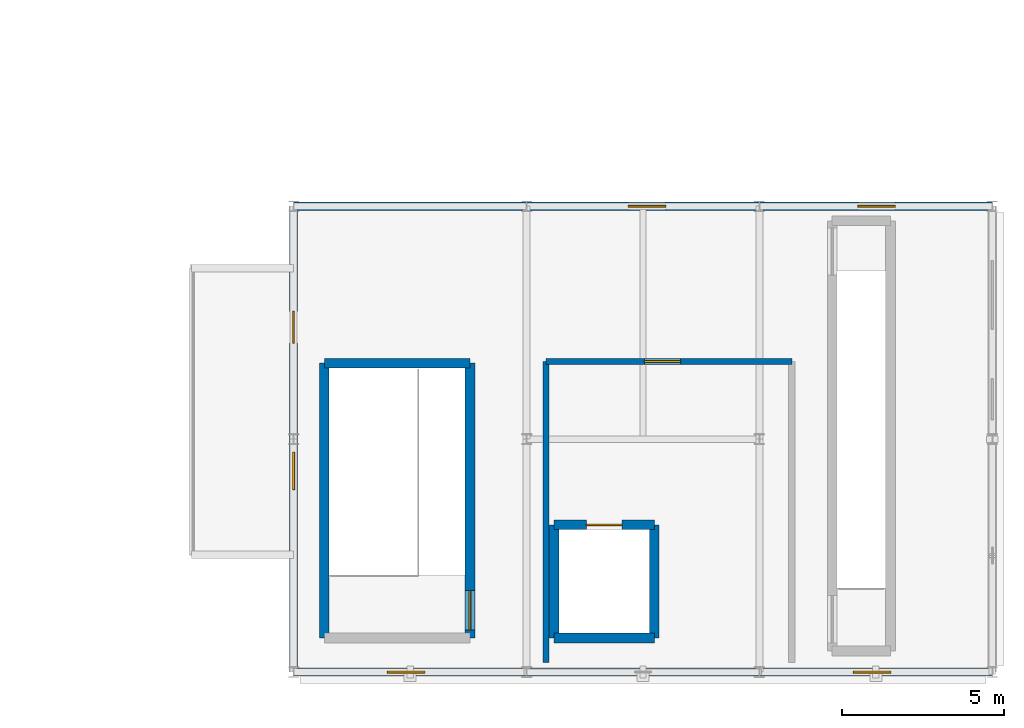
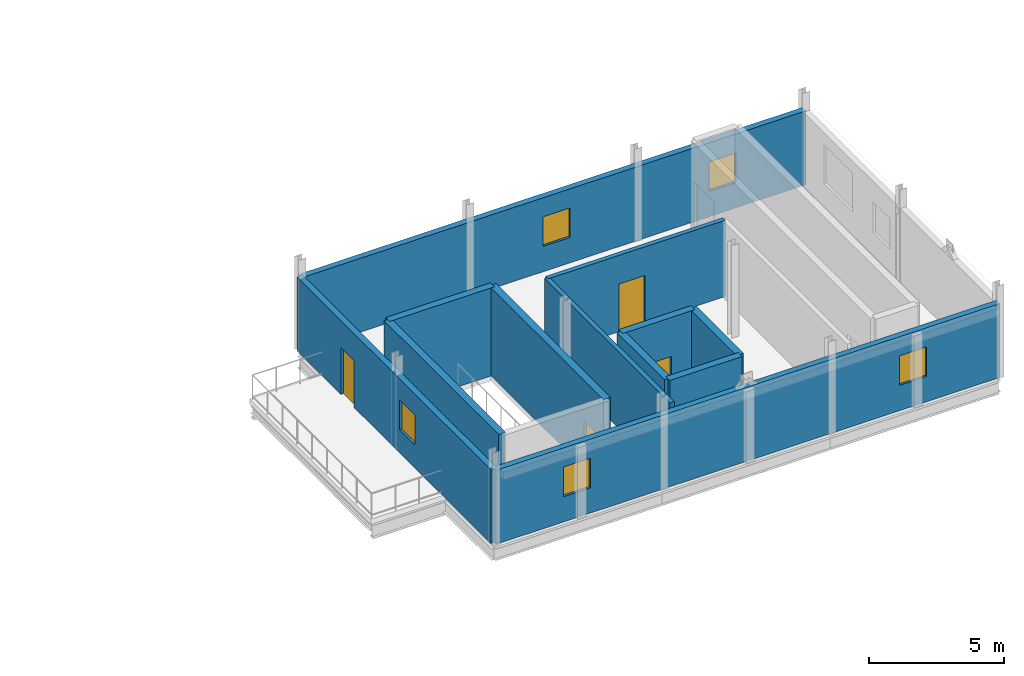
# One storey, part 22 of 28: 12 walls, 5 windows, 4 doors, 9 openings.
"""IFC4 building model written with IfcOpenShell, lengths in metres."""

from ifc_helpers import new_model, si_unit, direction, frame, frame_2d, origin, place, context, subcontext, project, spatial, rectangle, extrude, material, layer, layer_set, type_object, element, fill, save


model = new_model("IFC4")

# Units and contexts
model_context = context("Model", 3, precision=1e-05, world=origin(), true_north=direction((0.0, 1.0)))
body_context = subcontext(model_context, "Body", "Model", "MODEL_VIEW")
ifc_project = project(units=[si_unit("LENGTHUNIT", "METRE"), si_unit("AREAUNIT", "SQUARE_METRE"), si_unit("VOLUMEUNIT", "CUBIC_METRE"), si_unit("PLANEANGLEUNIT", "RADIAN"), si_unit("MASSUNIT", "GRAM", prefix="KILO")], contexts=[model_context])

# Site, building, storey
site_placement = place(None, origin())
site = spatial("IfcSite", under=ifc_project, at=site_placement, CompositionType="ELEMENT")
building_placement = place(site_placement, origin())
building = spatial("IfcBuilding", under=site, at=building_placement, Name="Yarey Park Central Fire Station", CompositionType="ELEMENT")
storey_placement = place(building_placement, frame((0.0, 0.0, 22.199951171875)))
storey = spatial("IfcBuildingStorey", under=building, at=storey_placement, Name="L06", CompositionType="ELEMENT", Elevation=22.199951171875)

# Wall, openings, windows
ifc_material_1 = material(Name="Concrete C40/50", Category="concrete")
ifc_layer_1 = layer(ifc_material_1, 0.2548828125)
ifc_layer_set_1 = layer_set([ifc_layer_1], Name="Concrete C40/50")
wall_type_1 = type_object("IfcWallType", Name="ENV_WALL_RC255", PredefinedType="STANDARD", material=ifc_layer_set_1)
wall_1_placement = place(storey_placement, frame((165.60009765625, 0.0, 0.0), z_axis=(0.0, 0.0, 1.0), x_axis=(-1.0, 0.0, 0.0)))
wall_1 = element("IfcWall", 1, at=wall_1_placement, inside=storey, type_object=wall_type_1, Name="EW_L06_DT_S", PredefinedType="STANDARD", context=body_context, shape_type="SweptSolid", body=[
    extrude(rectangle(XDim=21.60009765625, YDim=0.2548828125, at=frame_2d((10.800048828125, 0.0))), origin(), (0.0, 0.0, 1.0), 3.35009765625),
])
opening_1_placement = place(wall_1_placement, frame((17.5400390625, 0.0, 1.14990234375)))
opening_1 = element("IfcOpeningElement", 2, at=opening_1_placement, cuts=wall_1, Name="Opening WN-DT116", PredefinedType="OPENING", context=body_context, shape_type="SweptSolid", body=[
    extrude(rectangle(XDim=1.159912109375, YDim=1.340087890625, at=frame_2d((0.580078125, 0.669921875))), frame((0.0, 0.137451171875, 0.0), z_axis=(0.0, -1.0, 0.0), x_axis=(1.0, 0.0, 0.0)), (0.0, 0.0, 1.0), 0.27490234375),
])
opening_2_placement = place(wall_1_placement, frame((3.139892578125, 0.0, 1.14990234375)))
opening_2 = element("IfcOpeningElement", 3, at=opening_2_placement, cuts=wall_1, Name="Opening WN-DT116", PredefinedType="OPENING", context=body_context, shape_type="SweptSolid", body=[
    extrude(rectangle(XDim=1.159912109375, YDim=1.340087890625, at=frame_2d((0.580078125, 0.669921875))), frame((0.0, 0.137451171875, 0.0), z_axis=(0.0, -1.0, 0.0), x_axis=(1.0, 0.0, 0.0)), (0.0, 0.0, 1.0), 0.27490234375),
])
ifc_material_2 = material(Name="Laminated Hurricane Low-E Glass", Category="glass")
window_type = type_object("IfcWindowType", Name="ENV_WIN_DT_116", PartitioningType="SINGLE_PANEL", PredefinedType="WINDOW", material=ifc_material_2)
window_1_placement = place(opening_1_placement, origin())
window_1 = element("IfcWindow", 4, at=window_1_placement, inside=storey, type_object=window_type, Name="WIN_L06_DTS_1", OverallHeight=1.340087890625, OverallWidth=1.159912109375, PartitioningType="SINGLE_PANEL", PredefinedType="WINDOW", context=body_context, shape_type="SweptSolid", body=[
    extrude(rectangle(XDim=1.159912109375, YDim=1.340087890625, at=frame_2d((0.580078125, 0.669921875))), frame((0.0, 0.030029296875, 0.0), z_axis=(0.0, -1.0, 0.0), x_axis=(1.0, 0.0, 0.0)), (0.0, 0.0, 1.0), 0.06005859375),
])
fill(opening_1, window_1)
window_2_placement = place(opening_2_placement, origin())
window_2 = element("IfcWindow", 5, at=window_2_placement, inside=storey, type_object=window_type, Name="WIN_L06_DTS_2", OverallHeight=1.340087890625, OverallWidth=1.159912109375, PartitioningType="SINGLE_PANEL", PredefinedType="WINDOW", context=body_context, shape_type="SweptSolid", body=[
    extrude(rectangle(XDim=1.159912109375, YDim=1.340087890625, at=frame_2d((0.580078125, 0.669921875))), frame((0.0, 0.030029296875, 0.0), z_axis=(0.0, -1.0, 0.0), x_axis=(1.0, 0.0, 0.0)), (0.0, 0.0, 1.0), 0.06005859375),
])
fill(opening_2, window_2)

# Wall, openings, door, window
wall_2_placement = place(storey_placement, frame((144.0, 14.39990234375, 0.0), z_axis=(0.0, 0.0, 1.0), x_axis=(0.0, -1.0, 0.0)))
wall_2 = element("IfcWall", 6, at=wall_2_placement, inside=storey, type_object=wall_type_1, Name="EW_L06_DT_W", PredefinedType="STANDARD", context=body_context, shape_type="SweptSolid", body=[
    extrude(rectangle(XDim=14.39990234375, YDim=0.2548828125, at=frame_2d((7.199951171875, 0.0))), origin(), (0.0, 0.0, 1.0), 3.35009765625),
])
opening_3_placement = place(wall_2_placement, frame((3.25, 0.0, 0.0)))
opening_3 = element("IfcOpeningElement", 7, at=opening_3_placement, cuts=wall_2, Name="Opening TD-098", PredefinedType="OPENING", context=body_context, shape_type="SweptSolid", body=[
    extrude(rectangle(XDim=0.97998046875, YDim=2.1201171875, at=frame_2d((0.489990234375, 1.06005859375))), frame((0.0, 0.137451171875, 0.0), z_axis=(0.0, -1.0, 0.0), x_axis=(1.0, 0.0, 0.0)), (0.0, 0.0, 1.0), 0.27490234375),
])
opening_4_placement = place(wall_2_placement, frame((7.60009765625, 0.0, 1.050048828125)))
opening_4 = element("IfcOpeningElement", 8, at=opening_4_placement, cuts=wall_2, Name="Opening WN-DT116", PredefinedType="OPENING", context=body_context, shape_type="SweptSolid", body=[
    extrude(rectangle(XDim=1.159912109375, YDim=1.340087890625, at=frame_2d((0.580078125, 0.669921875))), frame((0.0, 0.137451171875, 0.0), z_axis=(0.0, -1.0, 0.0), x_axis=(1.0, 0.0, 0.0)), (0.0, 0.0, 1.0), 0.27490234375),
])
ifc_material_3 = material(Name="Galvanized Hollow Metal Door", Category="metal")
door_type_1 = type_object("IfcDoorType", Name="ENV_DOOR_BAL0980", OperationType="NOTDEFINED", PredefinedType="DOOR", material=ifc_material_3)
door_1_placement = place(opening_3_placement, origin())
door_1 = element("IfcDoor", 9, at=door_1_placement, inside=storey, type_object=door_type_1, Name="DOOR_L06_DT_BALC", OperationType="SINGLE_SWING_LEFT", OverallHeight=2.1201171875, OverallWidth=0.97998046875, PredefinedType="DOOR", context=body_context, shape_type="SweptSolid", body=[
    extrude(rectangle(XDim=0.97998046875, YDim=2.1201171875, at=frame_2d((0.489990234375, 1.06005859375))), frame((0.0, 0.02490234375, 0.0), z_axis=(0.0, -1.0, 0.0), x_axis=(1.0, 0.0, 0.0)), (0.0, 0.0, 1.0), 0.050048828125),
])
fill(opening_3, door_1)
window_3_placement = place(opening_4_placement, origin())
window_3 = element("IfcWindow", 10, at=window_3_placement, inside=storey, type_object=window_type, Name="WIN_L06_DTW_RAP", OverallHeight=1.340087890625, OverallWidth=1.159912109375, PartitioningType="SINGLE_PANEL", PredefinedType="WINDOW", context=body_context, shape_type="SweptSolid", body=[
    extrude(rectangle(XDim=1.159912109375, YDim=1.340087890625, at=frame_2d((0.580078125, 0.669921875))), frame((0.0, 0.030029296875, 0.0), z_axis=(0.0, -1.0, 0.0), x_axis=(1.0, 0.0, 0.0)), (0.0, 0.0, 1.0), 0.06005859375),
])
fill(opening_4, window_3)

# Wall, openings, windows
wall_3_placement = place(storey_placement, frame((165.60009765625, 14.39990234375, 0.0), z_axis=(0.0, 0.0, 1.0), x_axis=(-1.0, 0.0, 0.0)))
wall_3 = element("IfcWall", 11, at=wall_3_placement, inside=storey, type_object=wall_type_1, Name="EW_L06_DT_N", PredefinedType="STANDARD", context=body_context, shape_type="SweptSolid", body=[
    extrude(rectangle(XDim=21.60009765625, YDim=0.2548828125, at=frame_2d((10.800048828125, 0.0))), origin(), (0.0, 0.0, 1.0), 3.35009765625),
])
opening_5_placement = place(wall_3_placement, frame((3.0, 0.0, 1.14990234375)))
opening_5 = element("IfcOpeningElement", 12, at=opening_5_placement, cuts=wall_3, Name="Opening WN-DT116", PredefinedType="OPENING", context=body_context, shape_type="SweptSolid", body=[
    extrude(rectangle(XDim=1.159912109375, YDim=1.340087890625, at=frame_2d((0.580078125, 0.669921875))), frame((0.0, 0.137451171875, 0.0), z_axis=(0.0, -1.0, 0.0), x_axis=(1.0, 0.0, 0.0)), (0.0, 0.0, 1.0), 0.27490234375),
])
opening_6_placement = place(wall_3_placement, frame((10.10009765625, 0.0, 1.14990234375)))
opening_6 = element("IfcOpeningElement", 13, at=opening_6_placement, cuts=wall_3, Name="Opening WN-DT116", PredefinedType="OPENING", context=body_context, shape_type="SweptSolid", body=[
    extrude(rectangle(XDim=1.159912109375, YDim=1.340087890625, at=frame_2d((0.580078125, 0.669921875))), frame((0.0, 0.137451171875, 0.0), z_axis=(0.0, -1.0, 0.0), x_axis=(1.0, 0.0, 0.0)), (0.0, 0.0, 1.0), 0.27490234375),
])
window_4_placement = place(opening_5_placement, origin())
window_4 = element("IfcWindow", 14, at=window_4_placement, inside=storey, type_object=window_type, Name="WIN_L06_DTN_1", OverallHeight=1.340087890625, OverallWidth=1.159912109375, PartitioningType="SINGLE_PANEL", PredefinedType="WINDOW", context=body_context, shape_type="SweptSolid", body=[
    extrude(rectangle(XDim=1.159912109375, YDim=1.340087890625, at=frame_2d((0.580078125, 0.669921875))), frame((0.0, 0.030029296875, 0.0), z_axis=(0.0, -1.0, 0.0), x_axis=(1.0, 0.0, 0.0)), (0.0, 0.0, 1.0), 0.06005859375),
])
fill(opening_5, window_4)
window_5_placement = place(opening_6_placement, origin())
window_5 = element("IfcWindow", 15, at=window_5_placement, inside=storey, type_object=window_type, Name="WIN_L06_DTN_2", OverallHeight=1.340087890625, OverallWidth=1.159912109375, PartitioningType="SINGLE_PANEL", PredefinedType="WINDOW", context=body_context, shape_type="SweptSolid", body=[
    extrude(rectangle(XDim=1.159912109375, YDim=1.340087890625, at=frame_2d((0.580078125, 0.669921875))), frame((0.0, 0.030029296875, 0.0), z_axis=(0.0, -1.0, 0.0), x_axis=(1.0, 0.0, 0.0)), (0.0, 0.0, 1.0), 0.06005859375),
])
fill(opening_6, window_5)

# Walls
ifc_layer_2 = layer(ifc_material_1, 0.27001953125)
ifc_layer_set_2 = layer_set([ifc_layer_2], Name="Concrete C40/50")
wall_type_2 = type_object("IfcWallType", Name="INT_CORE_RC270", PredefinedType="SHEAR", material=ifc_layer_set_2)
wall_4_placement = place(storey_placement, frame((149.449951171875, 9.550048828125, 0.0), z_axis=(0.0, 0.0, 1.0), x_axis=(-1.0, 0.0, 0.0)))
element("IfcWall", 16, at=wall_4_placement, inside=storey, type_object=wall_type_2, Name="CWALL_C5_L06_N", PredefinedType="SHEAR", context=body_context, shape_type="SweptSolid", body=[
    extrude(rectangle(XDim=4.5, YDim=0.300048828125, at=frame_2d((2.25, 0.0))), origin(), (0.0, 0.0, 1.0), 3.989990234375),
])
wall_5_placement = place(storey_placement, frame((144.949951171875, 9.550048828125, 0.0), z_axis=(0.0, 0.0, 1.0), x_axis=(0.0, -1.0, 0.0)))
element("IfcWall", 17, at=wall_5_placement, inside=storey, type_object=wall_type_2, Name="CWALL_C5_L06_W", PredefinedType="SHEAR", context=body_context, shape_type="SweptSolid", body=[
    extrude(rectangle(XDim=8.5, YDim=0.300048828125, at=frame_2d((4.25, 0.0))), origin(), (0.0, 0.0, 1.0), 3.989990234375),
])

# Wall, opening, door
wall_6_placement = place(storey_placement, frame((149.449951171875, 1.050048828125, 0.0), z_axis=(0.0, 0.0, 1.0), x_axis=(0.0, 1.0, 0.0)))
wall_6 = element("IfcWall", 18, at=wall_6_placement, inside=storey, type_object=wall_type_2, Name="CWALL_C5_L06_E", PredefinedType="SHEAR", context=body_context, shape_type="SweptSolid", body=[
    extrude(rectangle(XDim=8.5, YDim=0.300048828125, at=frame_2d((4.25, 0.0))), origin(), (0.0, 0.0, 1.0), 3.989990234375),
])
opening_7_placement = place(wall_6_placement, frame((0.25, 0.0, 0.0)))
opening_7 = element("IfcOpeningElement", 19, at=opening_7_placement, cuts=wall_6, Name="Opening SD-122", PredefinedType="OPENING", context=body_context, shape_type="SweptSolid", body=[
    extrude(rectangle(XDim=1.219970703125, YDim=2.159912109375, at=frame_2d((0.60986328125, 1.080078125))), frame((0.0, 0.159912109375, 0.0), z_axis=(0.0, -1.0, 0.0), x_axis=(1.0, 0.0, 0.0)), (0.0, 0.0, 1.0), 0.320068359375),
])
door_type_2 = type_object("IfcDoorType", Name="DR_STAIR_1220", OperationType="NOTDEFINED", PredefinedType="DOOR", material=ifc_material_3)
door_2_placement = place(opening_7_placement, origin())
door_2 = element("IfcDoor", 20, at=door_2_placement, inside=storey, type_object=door_type_2, Name="DOOR_STAIR_C5_L06", OperationType="SINGLE_SWING_RIGHT", OverallHeight=2.159912109375, OverallWidth=1.219970703125, PredefinedType="DOOR", context=body_context, shape_type="SweptSolid", body=[
    extrude(rectangle(XDim=1.219970703125, YDim=2.159912109375, at=frame_2d((0.60986328125, 1.080078125))), frame((0.0, 0.02490234375, 0.0), z_axis=(0.0, -1.0, 0.0), x_axis=(1.0, 0.0, 0.0)), (0.0, 0.0, 1.0), 0.050048828125),
])
fill(opening_7, door_2)

# Wall
wall_7_placement = place(storey_placement, frame((152.050048828125, 1.050048828125, 0.0), z_axis=(0.0, 0.0, 1.0), x_axis=(1.0, 0.0, 0.0)))
element("IfcWall", 21, at=wall_7_placement, inside=storey, type_object=wall_type_2, Name="LWALL_C5_L06_S", PredefinedType="SHEAR", context=body_context, shape_type="SweptSolid", body=[
    extrude(rectangle(XDim=3.099853515625, YDim=0.300048828125, at=frame_2d((1.5498046875, 0.0))), origin(), (0.0, 0.0, 1.0), 3.989990234375),
])

# Wall, opening, door
wall_8_placement = place(storey_placement, frame((155.14990234375, 4.550048828125, 0.0), z_axis=(0.0, 0.0, 1.0), x_axis=(-1.0, 0.0, 0.0)))
wall_8 = element("IfcWall", 22, at=wall_8_placement, inside=storey, type_object=wall_type_2, Name="LWALL_C5_L06_N", PredefinedType="SHEAR", context=body_context, shape_type="SweptSolid", body=[
    extrude(rectangle(XDim=3.099853515625, YDim=0.300048828125, at=frame_2d((1.5498046875, 0.0))), origin(), (0.0, 0.0, 1.0), 3.989990234375),
])
opening_8_placement = place(wall_8_placement, frame((1.0, 0.0, 0.0)))
opening_8 = element("IfcOpeningElement", 23, at=opening_8_placement, cuts=wall_8, Name="Opening LD-11", PredefinedType="OPENING", context=body_context, shape_type="SweptSolid", body=[
    extrude(rectangle(XDim=1.10009765625, YDim=2.219970703125, at=frame_2d((0.550048828125, 1.10986328125))), frame((0.0, 0.159912109375, 0.0), z_axis=(0.0, -1.0, 0.0), x_axis=(1.0, 0.0, 0.0)), (0.0, 0.0, 1.0), 0.320068359375),
])
ifc_material_4 = material(Name="Stainless Steel AISI 316L", Category="steel")
door_type_3 = type_object("IfcDoorType", Name="DR_LD_1100", OperationType="NOTDEFINED", PredefinedType="DOOR", material=ifc_material_4)
door_3_placement = place(opening_8_placement, origin())
door_3 = element("IfcDoor", 24, at=door_3_placement, inside=storey, type_object=door_type_3, Name="Lift Landing Door LF-5-L06", OperationType="SLIDING_TO_LEFT", OverallHeight=2.219970703125, OverallWidth=1.10009765625, PredefinedType="DOOR", context=body_context, shape_type="SweptSolid", body=[
    extrude(rectangle(XDim=1.10009765625, YDim=2.219970703125, at=frame_2d((0.550048828125, 1.10986328125))), frame((0.0, 0.02490234375, 0.0), z_axis=(0.0, -1.0, 0.0), x_axis=(1.0, 0.0, 0.0)), (0.0, 0.0, 1.0), 0.050048828125),
])
fill(opening_8, door_3)

# Walls
for number, where, z_axis, x_axis, name in (
    (25, (152.050048828125, 4.550048828125, 0.0), (0.0, 0.0, 1.0), (0.0, -1.0, 0.0), "LWALL_C5_L06_W"),
    (26, (155.14990234375, 1.050048828125, 0.0), (0.0, 0.0, 1.0), (0.0, 1.0, 0.0), "LWALL_C5_L06_E"),
):
    element("IfcWall", number, at=place(storey_placement, frame(where, z_axis=z_axis, x_axis=x_axis)), inside=storey, type_object=wall_type_2, Name=name, PredefinedType="SHEAR", context=body_context, shape_type="SweptSolid", body=[
        extrude(rectangle(XDim=3.5, YDim=0.300048828125, at=frame_2d((1.75, 0.0))), origin(), (0.0, 0.0, 1.0), 3.989990234375),
    ])

# Wall, opening, door
ifc_material_5 = material(Name="Concrete C35/45", Category="concrete")
ifc_layer_3 = layer(ifc_material_5, 0.18994140625)
ifc_layer_set_3 = layer_set([ifc_layer_3], Name="Concrete C35/45")
wall_type_3 = type_object("IfcWallType", Name="INT_WALL_CMU190", PredefinedType="STANDARD", material=ifc_layer_set_3)
wall_9_placement = place(storey_placement, frame((159.39990234375, 9.60009765625, 0.0), z_axis=(0.0, 0.0, 1.0), x_axis=(-1.0, 0.0, 0.0)))
wall_9 = element("IfcWall", 27, at=wall_9_placement, inside=storey, type_object=wall_type_3, Name="PART_SPC_L06_DT_OBS_NORTH", PredefinedType="STANDARD", context=body_context, shape_type="SweptSolid", body=[
    extrude(rectangle(XDim=7.599853515625, YDim=0.18994140625, at=frame_2d((3.7998046875, 0.0))), origin(), (0.0, 0.0, 1.0), 3.45703125),
])
opening_9_placement = place(wall_9_placement, frame((3.43994140625, 0.0, 0.0)))
opening_9 = element("IfcOpeningElement", 28, at=opening_9_placement, cuts=wall_9, Name="Opening FD-112", PredefinedType="OPENING", context=body_context, shape_type="SweptSolid", body=[
    extrude(rectangle(XDim=1.1201171875, YDim=2.159912109375, at=frame_2d((0.56005859375, 1.080078125))), frame((0.0, 0.10498046875, 0.0), z_axis=(0.0, -1.0, 0.0), x_axis=(1.0, 0.0, 0.0)), (0.0, 0.0, 1.0), 0.2099609375),
])
door_type_4 = type_object("IfcDoorType", Name="DR_FD_1120", OperationType="NOTDEFINED", PredefinedType="DOOR", material=ifc_material_3)
door_4_placement = place(opening_9_placement, origin())
door_4 = element("IfcDoor", 29, at=door_4_placement, inside=storey, type_object=door_type_4, Name="DOOR_SPC_L06_DT_OBS", OperationType="SINGLE_SWING_LEFT", OverallHeight=2.159912109375, OverallWidth=1.1201171875, PredefinedType="DOOR", context=body_context, shape_type="SweptSolid", body=[
    extrude(rectangle(XDim=1.1201171875, YDim=2.159912109375, at=frame_2d((0.56005859375, 1.080078125))), frame((0.0, 0.02490234375, 0.0), z_axis=(0.0, -1.0, 0.0), x_axis=(1.0, 0.0, 0.0)), (0.0, 0.0, 1.0), 0.050048828125),
])
fill(opening_9, door_4)

# Wall
wall_10_placement = place(storey_placement, frame((151.800048828125, 9.60009765625, 0.0), z_axis=(0.0, 0.0, 1.0), x_axis=(0.0, -1.0, 0.0)))
element("IfcWall", 30, at=wall_10_placement, inside=storey, type_object=wall_type_3, Name="PART_SPC_L06_DT_OBS_WEST", PredefinedType="STANDARD", context=body_context, shape_type="SweptSolid", body=[
    extrude(rectangle(XDim=9.300048828125, YDim=0.18994140625, at=frame_2d((4.64990234375, 0.0))), origin(), (0.0, 0.0, 1.0), 3.45703125),
])

save(model, "model.ifc")
